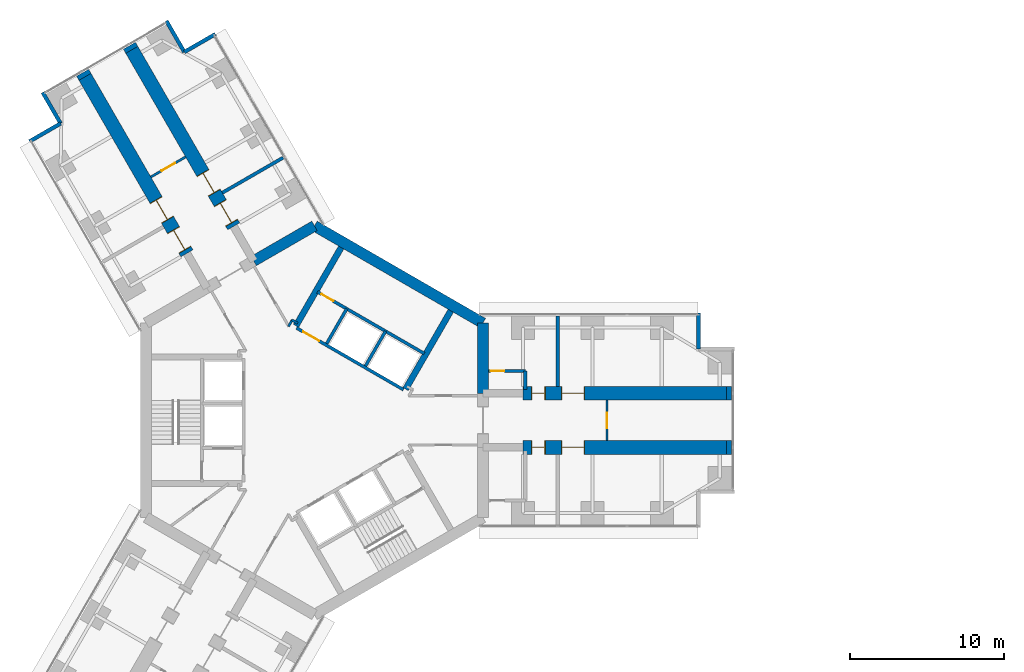
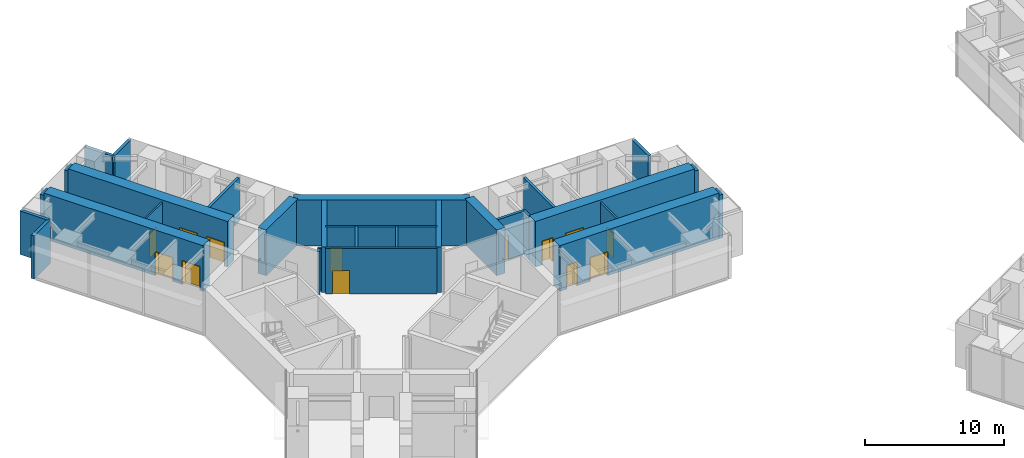
# One storey, part 18 of 23: 30 walls, 13 doors, 13 openings.
"""IFC4 building model written with IfcOpenShell, lengths in metres."""

from ifc_helpers import new_model, si_unit, direction, frame, frame_2d, origin, place, context, subcontext, project, spatial, rectangle, extrude, material, layer, layer_set, type_object, element, fill, save


model = new_model("IFC4")

# Units and contexts
model_context = context("Model", 3, precision=1e-05, world=origin(), true_north=direction((0.0, 1.0)))
body_context = subcontext(model_context, "Body", "Model", "MODEL_VIEW")
ifc_project = project(units=[si_unit("LENGTHUNIT", "METRE"), si_unit("AREAUNIT", "SQUARE_METRE"), si_unit("VOLUMEUNIT", "CUBIC_METRE"), si_unit("PLANEANGLEUNIT", "RADIAN"), si_unit("MASSUNIT", "GRAM", prefix="KILO")], contexts=[model_context])

# Site, building, storey
site_placement = place(None, origin())
site = spatial("IfcSite", under=ifc_project, at=site_placement, CompositionType="ELEMENT")
building_placement = place(site_placement, origin())
building = spatial("IfcBuilding", under=site, at=building_placement, Name="Upepo Twin Towers", CompositionType="ELEMENT")
storey_placement = place(building_placement, frame((0.0, 0.0, 24.5)))
storey = spatial("IfcBuildingStorey", under=building, at=storey_placement, Name="L05", CompositionType="ELEMENT", Elevation=24.5)

# Wall
ifc_material_1 = material(Name="Concrete blockwork, plastered both faces", Category="masonry")
ifc_layer_1 = layer(ifc_material_1, 0.215087890625)
ifc_layer_set_1 = layer_set([ifc_layer_1], Name="Blockwork partition 215")
wall_type_1 = type_object("IfcWallType", Name="Blockwork partition 215", PredefinedType="PARTITIONING", material=ifc_layer_set_1)
wall_1_placement = place(storey_placement, frame((15.75, 2.199951171875, 0.0), z_axis=(0.0, 0.0, 1.0), x_axis=(0.0, 1.0, 0.0)))
element("IfcWall", 1, at=wall_1_placement, inside=storey, type_object=wall_type_1, Name="T1 partition AL at 15.75", PredefinedType="PARTITIONING", context=body_context, shape_type="SweptSolid", body=[
    extrude(rectangle(XDim=4.550048828125, YDim=0.215087890625, at=frame_2d((2.27490234375, 0.0))), origin(), (0.0, 0.0, 1.0), 3.800048828125),
])

# Wall, opening, door
wall_2_placement = place(storey_placement, frame((11.258056640625, 3.199951171875, 0.0), z_axis=(0.0, 0.0, 1.0), x_axis=(1.0, 0.0, 0.0)))
wall_2 = element("IfcWall", 2, at=wall_2_placement, inside=storey, type_object=wall_type_1, Name="T1 WC bay partition AL at 11.26", PredefinedType="PARTITIONING", context=body_context, shape_type="SweptSolid", body=[
    extrude(rectangle(XDim=2.39990234375, YDim=0.215087890625, at=frame_2d((1.199951171875, 0.0))), origin(), (0.0, 0.0, 1.0), 3.800048828125),
])
opening_1_placement = place(wall_2_placement, frame((0.14990234375, 0.0, 0.0)))
opening_1 = element("IfcOpeningElement", 3, at=opening_1_placement, cuts=wall_2, Name="Opening D14", PredefinedType="OPENING", context=body_context, shape_type="SweptSolid", body=[
    extrude(rectangle(XDim=0.89990234375, YDim=2.10009765625, at=frame_2d((0.449951171875, 1.050048828125))), frame((0.0, 0.117431640625, 0.0), z_axis=(0.0, -1.0, 0.0), x_axis=(1.0, 0.0, 0.0)), (0.0, 0.0, 1.0), 0.235107421875),
])
ifc_material_2 = material(Name="Timber doorset", Category="wood")
door_type_1 = type_object("IfcDoorType", Name="Office door 900 FD30", OperationType="SINGLE_SWING_LEFT", PredefinedType="DOOR", material=ifc_material_2)
door_1_placement = place(opening_1_placement, origin())
door_1 = element("IfcDoor", 4, at=door_1_placement, inside=storey, type_object=door_type_1, Name="T1 L05 WC bay inner room door", OperationType="SINGLE_SWING_LEFT", OverallHeight=2.10009765625, OverallWidth=0.89990234375, PredefinedType="DOOR", context=body_context, shape_type="SweptSolid", body=[
    extrude(rectangle(XDim=0.89990234375, YDim=2.10009765625, at=frame_2d((0.449951171875, 1.050048828125))), frame((0.0, 0.02490234375, 0.0), z_axis=(0.0, -1.0, 0.0), x_axis=(1.0, 0.0, 0.0)), (0.0, 0.0, 1.0), 0.050048828125),
])
fill(opening_1, door_1)

# Walls
wall_3_placement = place(storey_placement, frame((13.657958984375, 2.0, 0.0), z_axis=(0.0, 0.0, 1.0), x_axis=(0.0, 1.0, 0.0)))
element("IfcWall", 5, at=wall_3_placement, inside=storey, type_object=wall_type_1, Name="T1 WC bay partition AL end at 13.66", PredefinedType="PARTITIONING", context=body_context, shape_type="SweptSolid", body=[
    extrude(rectangle(XDim=1.199951171875, YDim=0.215087890625, at=frame_2d((0.60009765625, 0.0))), origin(), (0.0, 0.0, 1.0), 3.800048828125),
])
wall_4_placement = place(storey_placement, frame((-5.9697265625, 14.739990234375, 0.0), z_axis=(0.0, 0.0, 1.0), x_axis=(0.866035472144, 0.499982560684, 0.0)))
element("IfcWall", 6, at=wall_4_placement, inside=storey, type_object=wall_type_1, Name="T1 partition BR at 15.75", PredefinedType="PARTITIONING", context=body_context, shape_type="SweptSolid", body=[
    extrude(rectangle(XDim=4.550048828125, YDim=0.215087890625, at=frame_2d((2.27490234375, 0.0))), origin(), (0.0, 0.0, 1.0), 3.800048828125),
])
ifc_material_3 = material(Name="Dense concrete blockwork", Category="masonry")
ifc_layer_2 = layer(ifc_material_3, 0.89990234375)
ifc_layer_set_2 = layer_set([ifc_layer_2], Name="Buttress closer 900, blockwork with fire-stopping to the curtain wall")
wall_type_2 = type_object("IfcWallType", Name="Buttress closer 900, blockwork with fire-stopping to the curtain wall", PredefinedType="PARTITIONING", material=ifc_layer_set_2)
for number, where, z_axis, x_axis, name in (
    (7, (26.699951171875, 1.75, 0.0), (0.0, 0.0, 1.0), (1.0, 0.0, 0.0), "T1 L05 wing A buttress closer L"),
    (8, (26.699951171875, -1.75, 0.0), (0.0, 0.0, 1.0), (1.0, 0.0, 0.0), "T1 L05 wing A buttress closer R"),
    (9, (-14.865478515625, 22.247802734375, 0.0), (0.0, 0.0, 1.0), (-0.499949632511, 0.866054481515, 0.0), "T1 L05 wing B buttress closer L"),
    (10, (-11.83447265625, 23.997802734375, 0.0), (0.0, 0.0, 1.0), (-0.499949632511, 0.866054481515, 0.0), "T1 L05 wing B buttress closer R"),
):
    element("IfcWall", number, at=place(storey_placement, frame(where, z_axis=z_axis, x_axis=x_axis)), inside=storey, type_object=wall_type_2, Name=name, PredefinedType="PARTITIONING", context=body_context, shape_type="SweptSolid", body=[
        extrude(rectangle(XDim=0.31005859375, YDim=0.89990234375, at=frame_2d((0.155029296875, 0.0))), origin(), (0.0, 0.0, 1.0), 3.800048828125),
    ])

# Wall, openings, doors
ifc_material_4 = material(Name="Concrete C60/75", Category="concrete")
ifc_layer_3 = layer(ifc_material_4, 0.89990234375)
ifc_layer_set_3 = layer_set([ifc_layer_3], Name="Concrete C60/75")
wall_type_3 = type_object("IfcWallType", Name="Buttress wall 900 RC", PredefinedType="SHEAR", material=ifc_layer_set_3)
wall_5_placement = place(storey_placement, frame((13.5, 1.75, 0.0), z_axis=(0.0, 0.0, 1.0), x_axis=(1.0, 0.0, 0.0)))
wall_5 = element("IfcWall", 11, at=wall_5_placement, inside=storey, type_object=wall_type_3, Name="T1 wing A buttress wall L part 2", PredefinedType="SHEAR", context=body_context, shape_type="SweptSolid", body=[
    extrude(rectangle(XDim=13.199951171875, YDim=0.89990234375, at=frame_2d((6.60009765625, 0.0))), origin(), (0.0, 0.0, 1.0), 4.0),
])
opening_2_placement = place(wall_5_placement, frame((0.550048828125, 0.0, 0.0)))
opening_2 = element("IfcOpeningElement", 12, at=opening_2_placement, cuts=wall_5, Name="Opening D11", PredefinedType="OPENING", context=body_context, shape_type="SweptSolid", body=[
    extrude(rectangle(XDim=0.89990234375, YDim=2.10009765625, at=frame_2d((0.449951171875, 1.050048828125))), frame((0.0, 0.4599609375, 0.0), z_axis=(0.0, -1.0, 0.0), x_axis=(1.0, 0.0, 0.0)), (0.0, 0.0, 1.0), 0.919921875),
])
opening_3_placement = place(wall_5_placement, frame((2.5, 0.0, 0.0)))
opening_3 = element("IfcOpeningElement", 13, at=opening_3_placement, cuts=wall_5, Name="Opening D13", PredefinedType="OPENING", context=body_context, shape_type="SweptSolid", body=[
    extrude(rectangle(XDim=1.5, YDim=2.10009765625, at=frame_2d((0.75, 1.050048828125))), frame((0.0, 0.4599609375, 0.0), z_axis=(0.0, -1.0, 0.0), x_axis=(1.0, 0.0, 0.0)), (0.0, 0.0, 1.0), 0.919921875),
])
ifc_material_5 = material(Name="Timber doorset", Category="wood")
door_type_2 = type_object("IfcDoorType", Name="Double door 1500 FD30", OperationType="DOUBLE_DOOR_SINGLE_SWING", PredefinedType="DOOR", material=ifc_material_5)
door_2_placement = place(opening_3_placement, origin())
door_2 = element("IfcDoor", 14, at=door_2_placement, inside=storey, type_object=door_type_2, Name="T1 L05 teaching laboratory door", OperationType="DOUBLE_DOOR_SINGLE_SWING", OverallHeight=2.10009765625, OverallWidth=1.5, PredefinedType="DOOR", context=body_context, shape_type="SweptSolid", body=[
    extrude(rectangle(XDim=1.42, YDim=2.06009765625, at=frame_2d((0.75, 1.030029296875))), frame((0.0, 0.02490234375, 0.0), z_axis=(0.0, -1.0, 0.0), x_axis=(1.0, 0.0, 0.0)), (0.0, 0.0, 1.0), 0.050048828125),
    extrude(rectangle(XDim=0.04, YDim=2.10009765625, at=frame_2d((0.02001953125, 1.050048828125))), frame((0.0, 0.44970703125, 0.0), z_axis=(0.0, -1.0, 0.0), x_axis=(1.0, 0.0, 0.0)), (0.0, 0.0, 1.0), 0.8994140625),
    extrude(rectangle(XDim=0.04, YDim=2.10009765625, at=frame_2d((1.47998046875, 1.050048828125))), frame((0.0, 0.44970703125, 0.0), z_axis=(0.0, -1.0, 0.0), x_axis=(1.0, 0.0, 0.0)), (0.0, 0.0, 1.0), 0.8994140625),
    extrude(rectangle(XDim=1.42, YDim=0.04, at=frame_2d((0.75, 2.080078125))), frame((0.0, 0.44970703125, 0.0), z_axis=(0.0, -1.0, 0.0), x_axis=(1.0, 0.0, 0.0)), (0.0, 0.0, 1.0), 0.8994140625),
])
fill(opening_3, door_2)
ifc_material_6 = material(Name="Timber doorset", Category="wood")
door_type_3 = type_object("IfcDoorType", Name="Toilet door 900", OperationType="SINGLE_SWING_LEFT", PredefinedType="DOOR", material=ifc_material_6)
door_3_placement = place(opening_2_placement, origin())
door_3 = element("IfcDoor", 15, at=door_3_placement, inside=storey, type_object=door_type_3, Name="T1 L05 toilets door", OperationType="SINGLE_SWING_LEFT", OverallHeight=2.10009765625, OverallWidth=0.89990234375, PredefinedType="DOOR", context=body_context, shape_type="SweptSolid", body=[
    extrude(rectangle(XDim=0.81990234375, YDim=2.06009765625, at=frame_2d((0.449951171875, 1.030029296875))), frame((0.0, 0.02490234375, 0.0), z_axis=(0.0, -1.0, 0.0), x_axis=(1.0, 0.0, 0.0)), (0.0, 0.0, 1.0), 0.050048828125),
    extrude(rectangle(XDim=0.04, YDim=2.10009765625, at=frame_2d((0.02001953125, 1.050048828125))), frame((0.0, 0.44970703125, 0.0), z_axis=(0.0, -1.0, 0.0), x_axis=(1.0, 0.0, 0.0)), (0.0, 0.0, 1.0), 0.8994140625),
    extrude(rectangle(XDim=0.04, YDim=2.10009765625, at=frame_2d((0.8798828125, 1.050048828125))), frame((0.0, 0.44970703125, 0.0), z_axis=(0.0, -1.0, 0.0), x_axis=(1.0, 0.0, 0.0)), (0.0, 0.0, 1.0), 0.8994140625),
    extrude(rectangle(XDim=0.81990234375, YDim=0.04, at=frame_2d((0.449951171875, 2.080078125))), frame((0.0, 0.44970703125, 0.0), z_axis=(0.0, -1.0, 0.0), x_axis=(1.0, 0.0, 0.0)), (0.0, 0.0, 1.0), 0.8994140625),
])
fill(opening_2, door_3)

wall_6_placement = place(storey_placement, frame((13.5, -1.75, 0.0), z_axis=(0.0, 0.0, 1.0), x_axis=(1.0, 0.0, 0.0)))
wall_6 = element("IfcWall", 16, at=wall_6_placement, inside=storey, type_object=wall_type_3, Name="T1 wing A buttress wall R part 2", PredefinedType="SHEAR", context=body_context, shape_type="SweptSolid", body=[
    extrude(rectangle(XDim=13.199951171875, YDim=0.89990234375, at=frame_2d((6.60009765625, 0.0))), origin(), (0.0, 0.0, 1.0), 4.0),
])
opening_4_placement = place(wall_6_placement, frame((0.550048828125, 0.0, 0.0)))
opening_4 = element("IfcOpeningElement", 17, at=opening_4_placement, cuts=wall_6, Name="Opening D11", PredefinedType="OPENING", context=body_context, shape_type="SweptSolid", body=[
    extrude(rectangle(XDim=0.89990234375, YDim=2.10009765625, at=frame_2d((0.449951171875, 1.050048828125))), frame((0.0, 0.4599609375, 0.0), z_axis=(0.0, -1.0, 0.0), x_axis=(1.0, 0.0, 0.0)), (0.0, 0.0, 1.0), 0.919921875),
])
opening_5_placement = place(wall_6_placement, frame((2.5, 0.0, 0.0)))
opening_5 = element("IfcOpeningElement", 18, at=opening_5_placement, cuts=wall_6, Name="Opening D13", PredefinedType="OPENING", context=body_context, shape_type="SweptSolid", body=[
    extrude(rectangle(XDim=1.5, YDim=2.10009765625, at=frame_2d((0.75, 1.050048828125))), frame((0.0, 0.4599609375, 0.0), z_axis=(0.0, -1.0, 0.0), x_axis=(1.0, 0.0, 0.0)), (0.0, 0.0, 1.0), 0.919921875),
])
door_4_placement = place(opening_5_placement, origin())
door_4 = element("IfcDoor", 19, at=door_4_placement, inside=storey, type_object=door_type_2, Name="T1 L05 teaching laboratory door", OperationType="DOUBLE_DOOR_SINGLE_SWING", OverallHeight=2.10009765625, OverallWidth=1.5, PredefinedType="DOOR", context=body_context, shape_type="SweptSolid", body=[
    extrude(rectangle(XDim=1.42, YDim=2.06009765625, at=frame_2d((0.75, 1.030029296875))), frame((0.0, 0.02490234375, 0.0), z_axis=(0.0, -1.0, 0.0), x_axis=(1.0, 0.0, 0.0)), (0.0, 0.0, 1.0), 0.050048828125),
    extrude(rectangle(XDim=0.04, YDim=2.10009765625, at=frame_2d((0.02001953125, 1.050048828125))), frame((0.0, 0.44970703125, 0.0), z_axis=(0.0, -1.0, 0.0), x_axis=(1.0, 0.0, 0.0)), (0.0, 0.0, 1.0), 0.8994140625),
    extrude(rectangle(XDim=0.04, YDim=2.10009765625, at=frame_2d((1.47998046875, 1.050048828125))), frame((0.0, 0.44970703125, 0.0), z_axis=(0.0, -1.0, 0.0), x_axis=(1.0, 0.0, 0.0)), (0.0, 0.0, 1.0), 0.8994140625),
    extrude(rectangle(XDim=1.42, YDim=0.04, at=frame_2d((0.75, 2.080078125))), frame((0.0, 0.44970703125, 0.0), z_axis=(0.0, -1.0, 0.0), x_axis=(1.0, 0.0, 0.0)), (0.0, 0.0, 1.0), 0.8994140625),
])
fill(opening_5, door_4)
door_5_placement = place(opening_4_placement, origin())
door_5 = element("IfcDoor", 20, at=door_5_placement, inside=storey, type_object=door_type_3, Name="T1 L05 accessible wc door", OperationType="SINGLE_SWING_LEFT", OverallHeight=2.10009765625, OverallWidth=0.89990234375, PredefinedType="DOOR", context=body_context, shape_type="SweptSolid", body=[
    extrude(rectangle(XDim=0.81990234375, YDim=2.06009765625, at=frame_2d((0.449951171875, 1.030029296875))), frame((0.0, 0.02490234375, 0.0), z_axis=(0.0, -1.0, 0.0), x_axis=(1.0, 0.0, 0.0)), (0.0, 0.0, 1.0), 0.050048828125),
    extrude(rectangle(XDim=0.04, YDim=2.10009765625, at=frame_2d((0.02001953125, 1.050048828125))), frame((0.0, 0.44970703125, 0.0), z_axis=(0.0, -1.0, 0.0), x_axis=(1.0, 0.0, 0.0)), (0.0, 0.0, 1.0), 0.8994140625),
    extrude(rectangle(XDim=0.04, YDim=2.10009765625, at=frame_2d((0.8798828125, 1.050048828125))), frame((0.0, 0.44970703125, 0.0), z_axis=(0.0, -1.0, 0.0), x_axis=(1.0, 0.0, 0.0)), (0.0, 0.0, 1.0), 0.8994140625),
    extrude(rectangle(XDim=0.81990234375, YDim=0.04, at=frame_2d((0.449951171875, 2.080078125))), frame((0.0, 0.44970703125, 0.0), z_axis=(0.0, -1.0, 0.0), x_axis=(1.0, 0.0, 0.0)), (0.0, 0.0, 1.0), 0.8994140625),
])
fill(opening_4, door_5)

wall_7_placement = place(storey_placement, frame((-8.265625, 10.81640625, 0.0), z_axis=(0.0, 0.0, 1.0), x_axis=(-0.499996231654, 0.866027579429, 0.0)))
wall_7 = element("IfcWall", 21, at=wall_7_placement, inside=storey, type_object=wall_type_3, Name="T1 wing B buttress wall L part 2", PredefinedType="SHEAR", context=body_context, shape_type="SweptSolid", body=[
    extrude(rectangle(XDim=13.19970703125, YDim=0.89990234375, at=frame_2d((6.599853515625, 0.0))), origin(), (0.0, 0.0, 1.0), 4.0),
])
opening_6_placement = place(wall_7_placement, frame((0.25, 0.0, 0.0)))
opening_6 = element("IfcOpeningElement", 22, at=opening_6_placement, cuts=wall_7, Name="Opening D13", PredefinedType="OPENING", context=body_context, shape_type="SweptSolid", body=[
    extrude(rectangle(XDim=1.5, YDim=2.10009765625, at=frame_2d((0.75, 1.050048828125))), frame((0.0, 0.4599609375, 0.0), z_axis=(0.0, -1.0, 0.0), x_axis=(1.0, 0.0, 0.0)), (0.0, 0.0, 1.0), 0.919921875),
])
opening_7_placement = place(wall_7_placement, frame((2.5, 0.0, 0.0)))
opening_7 = element("IfcOpeningElement", 23, at=opening_7_placement, cuts=wall_7, Name="Opening D13", PredefinedType="OPENING", context=body_context, shape_type="SweptSolid", body=[
    extrude(rectangle(XDim=1.5, YDim=2.10009765625, at=frame_2d((0.75, 1.050048828125))), frame((0.0, 0.4599609375, 0.0), z_axis=(0.0, -1.0, 0.0), x_axis=(1.0, 0.0, 0.0)), (0.0, 0.0, 1.0), 0.919921875),
])
door_6_placement = place(opening_6_placement, origin())
door_6 = element("IfcDoor", 24, at=door_6_placement, inside=storey, type_object=door_type_2, Name="T1 L05 instrument room door", OperationType="DOUBLE_DOOR_SINGLE_SWING", OverallHeight=2.10009765625, OverallWidth=1.5, PredefinedType="DOOR", context=body_context, shape_type="SweptSolid", body=[
    extrude(rectangle(XDim=1.42, YDim=2.06009765625, at=frame_2d((0.75, 1.030029296875))), frame((0.0, 0.02490234375, 0.0), z_axis=(0.0, -1.0, 0.0), x_axis=(1.0, 0.0, 0.0)), (0.0, 0.0, 1.0), 0.050048828125),
    extrude(rectangle(XDim=0.04, YDim=2.10009765625, at=frame_2d((0.02001953125, 1.050048828125))), frame((0.0, 0.44970703125, 0.0), z_axis=(0.0, -1.0, 0.0), x_axis=(1.0, 0.0, 0.0)), (0.0, 0.0, 1.0), 0.8994140625),
    extrude(rectangle(XDim=0.04, YDim=2.10009765625, at=frame_2d((1.47998046875, 1.050048828125))), frame((0.0, 0.44970703125, 0.0), z_axis=(0.0, -1.0, 0.0), x_axis=(1.0, 0.0, 0.0)), (0.0, 0.0, 1.0), 0.8994140625),
    extrude(rectangle(XDim=1.42, YDim=0.04, at=frame_2d((0.75, 2.080078125))), frame((0.0, 0.44970703125, 0.0), z_axis=(0.0, -1.0, 0.0), x_axis=(1.0, 0.0, 0.0)), (0.0, 0.0, 1.0), 0.8994140625),
])
fill(opening_6, door_6)
door_7_placement = place(opening_7_placement, origin())
door_7 = element("IfcDoor", 25, at=door_7_placement, inside=storey, type_object=door_type_2, Name="T1 L05 teaching laboratory door", OperationType="DOUBLE_DOOR_SINGLE_SWING", OverallHeight=2.10009765625, OverallWidth=1.5, PredefinedType="DOOR", context=body_context, shape_type="SweptSolid", body=[
    extrude(rectangle(XDim=1.42, YDim=2.06009765625, at=frame_2d((0.75, 1.030029296875))), frame((0.0, 0.02490234375, 0.0), z_axis=(0.0, -1.0, 0.0), x_axis=(1.0, 0.0, 0.0)), (0.0, 0.0, 1.0), 0.050048828125),
    extrude(rectangle(XDim=0.04, YDim=2.10009765625, at=frame_2d((0.02001953125, 1.050048828125))), frame((0.0, 0.44970703125, 0.0), z_axis=(0.0, -1.0, 0.0), x_axis=(1.0, 0.0, 0.0)), (0.0, 0.0, 1.0), 0.8994140625),
    extrude(rectangle(XDim=0.04, YDim=2.10009765625, at=frame_2d((1.47998046875, 1.050048828125))), frame((0.0, 0.44970703125, 0.0), z_axis=(0.0, -1.0, 0.0), x_axis=(1.0, 0.0, 0.0)), (0.0, 0.0, 1.0), 0.8994140625),
    extrude(rectangle(XDim=1.42, YDim=0.04, at=frame_2d((0.75, 2.080078125))), frame((0.0, 0.44970703125, 0.0), z_axis=(0.0, -1.0, 0.0), x_axis=(1.0, 0.0, 0.0)), (0.0, 0.0, 1.0), 0.8994140625),
])
fill(opening_7, door_7)

wall_8_placement = place(storey_placement, frame((-5.234375, 12.56640625, 0.0), z_axis=(0.0, 0.0, 1.0), x_axis=(-0.500010103361, 0.866019570528, 0.0)))
wall_8 = element("IfcWall", 26, at=wall_8_placement, inside=storey, type_object=wall_type_3, Name="T1 wing B buttress wall R part 2", PredefinedType="SHEAR", context=body_context, shape_type="SweptSolid", body=[
    extrude(rectangle(XDim=13.199951171875, YDim=0.89990234375, at=frame_2d((6.60009765625, 0.0))), origin(), (0.0, 0.0, 1.0), 4.0),
])
opening_8_placement = place(wall_8_placement, frame((0.25, 0.0, 0.0)))
opening_8 = element("IfcOpeningElement", 27, at=opening_8_placement, cuts=wall_8, Name="Opening D13", PredefinedType="OPENING", context=body_context, shape_type="SweptSolid", body=[
    extrude(rectangle(XDim=1.5, YDim=2.10009765625, at=frame_2d((0.75, 1.050048828125))), frame((0.0, 0.4599609375, 0.0), z_axis=(0.0, -1.0, 0.0), x_axis=(1.0, 0.0, 0.0)), (0.0, 0.0, 1.0), 0.919921875),
])
opening_9_placement = place(wall_8_placement, frame((2.5, 0.0, 0.0)))
opening_9 = element("IfcOpeningElement", 28, at=opening_9_placement, cuts=wall_8, Name="Opening D13", PredefinedType="OPENING", context=body_context, shape_type="SweptSolid", body=[
    extrude(rectangle(XDim=1.5, YDim=2.10009765625, at=frame_2d((0.75, 1.050048828125))), frame((0.0, 0.4599609375, 0.0), z_axis=(0.0, -1.0, 0.0), x_axis=(1.0, 0.0, 0.0)), (0.0, 0.0, 1.0), 0.919921875),
])
door_8_placement = place(opening_8_placement, origin())
door_8 = element("IfcDoor", 29, at=door_8_placement, inside=storey, type_object=door_type_2, Name="T1 L05 write-up room door", OperationType="DOUBLE_DOOR_SINGLE_SWING", OverallHeight=2.10009765625, OverallWidth=1.5, PredefinedType="DOOR", context=body_context, shape_type="SweptSolid", body=[
    extrude(rectangle(XDim=1.42, YDim=2.06009765625, at=frame_2d((0.75, 1.030029296875))), frame((0.0, 0.02490234375, 0.0), z_axis=(0.0, -1.0, 0.0), x_axis=(1.0, 0.0, 0.0)), (0.0, 0.0, 1.0), 0.050048828125),
    extrude(rectangle(XDim=0.04, YDim=2.10009765625, at=frame_2d((0.02001953125, 1.050048828125))), frame((0.0, 0.44970703125, 0.0), z_axis=(0.0, -1.0, 0.0), x_axis=(1.0, 0.0, 0.0)), (0.0, 0.0, 1.0), 0.8994140625),
    extrude(rectangle(XDim=0.04, YDim=2.10009765625, at=frame_2d((1.47998046875, 1.050048828125))), frame((0.0, 0.44970703125, 0.0), z_axis=(0.0, -1.0, 0.0), x_axis=(1.0, 0.0, 0.0)), (0.0, 0.0, 1.0), 0.8994140625),
    extrude(rectangle(XDim=1.42, YDim=0.04, at=frame_2d((0.75, 2.080078125))), frame((0.0, 0.44970703125, 0.0), z_axis=(0.0, -1.0, 0.0), x_axis=(1.0, 0.0, 0.0)), (0.0, 0.0, 1.0), 0.8994140625),
])
fill(opening_8, door_8)
door_9_placement = place(opening_9_placement, origin())
door_9 = element("IfcDoor", 30, at=door_9_placement, inside=storey, type_object=door_type_2, Name="T1 L05 teaching laboratory door", OperationType="DOUBLE_DOOR_SINGLE_SWING", OverallHeight=2.10009765625, OverallWidth=1.5, PredefinedType="DOOR", context=body_context, shape_type="SweptSolid", body=[
    extrude(rectangle(XDim=1.42, YDim=2.06009765625, at=frame_2d((0.75, 1.030029296875))), frame((0.0, 0.02490234375, 0.0), z_axis=(0.0, -1.0, 0.0), x_axis=(1.0, 0.0, 0.0)), (0.0, 0.0, 1.0), 0.050048828125),
    extrude(rectangle(XDim=0.04, YDim=2.10009765625, at=frame_2d((0.02001953125, 1.050048828125))), frame((0.0, 0.44970703125, 0.0), z_axis=(0.0, -1.0, 0.0), x_axis=(1.0, 0.0, 0.0)), (0.0, 0.0, 1.0), 0.8994140625),
    extrude(rectangle(XDim=0.04, YDim=2.10009765625, at=frame_2d((1.47998046875, 1.050048828125))), frame((0.0, 0.44970703125, 0.0), z_axis=(0.0, -1.0, 0.0), x_axis=(1.0, 0.0, 0.0)), (0.0, 0.0, 1.0), 0.8994140625),
    extrude(rectangle(XDim=1.42, YDim=0.04, at=frame_2d((0.75, 2.080078125))), frame((0.0, 0.44970703125, 0.0), z_axis=(0.0, -1.0, 0.0), x_axis=(1.0, 0.0, 0.0)), (0.0, 0.0, 1.0), 0.8994140625),
])
fill(opening_9, door_9)

# Walls
ifc_material_7 = material(Name="Concrete C60/75", Category="concrete")
ifc_layer_4 = layer(ifc_material_7, 0.699951171875)
ifc_layer_set_4 = layer_set([ifc_layer_4], Name="Concrete C60/75")
wall_type_4 = type_object("IfcWallType", Name="Core wall 700 RC", PredefinedType="SHEAR", material=ifc_layer_set_4)
wall_9_placement = place(storey_placement, frame((10.908447265625, 1.75, 0.0), z_axis=(0.0, 0.0, 1.0), x_axis=(0.0, 1.0, 0.0)))
element("IfcWall", 31, at=wall_9_placement, inside=storey, type_object=wall_type_4, Name="T1 core wall 000 L", PredefinedType="SHEAR", context=body_context, shape_type="SweptSolid", body=[
    extrude(rectangle(XDim=4.5478515625, YDim=0.699951171875, at=frame_2d((2.27392578125, 0.0))), origin(), (0.0, 0.0, 1.0), 4.0),
])
wall_10_placement = place(storey_placement, frame((10.908447265625, 6.2978515625, 0.0), z_axis=(0.0, 0.0, 1.0), x_axis=(-0.866021940709, 0.500005998175, 0.0)))
element("IfcWall", 32, at=wall_10_placement, inside=storey, type_object=wall_type_4, Name="T1 core wall 060", PredefinedType="SHEAR", context=body_context, shape_type="SweptSolid", body=[
    extrude(rectangle(XDim=12.595947265625, YDim=0.699951171875, at=frame_2d((6.2978515625, 0.0))), origin(), (0.0, 0.0, 1.0), 4.0),
])
wall_11_placement = place(storey_placement, frame((0.0, 12.595947265625, 0.0), z_axis=(0.0, 0.0, 1.0), x_axis=(-0.866011268655, -0.500024481964, 0.0)))
element("IfcWall", 33, at=wall_11_placement, inside=storey, type_object=wall_type_4, Name="T1 core wall 120 R", PredefinedType="SHEAR", context=body_context, shape_type="SweptSolid", body=[
    extrude(rectangle(XDim=4.548095703125, YDim=0.699951171875, at=frame_2d((2.27392578125, 0.0))), origin(), (0.0, 0.0, 1.0), 4.0),
])
ifc_material_8 = material(Name="Blockwork with anodised aluminium cladding", Category="masonry")
ifc_layer_5 = layer(ifc_material_8, 0.25)
ifc_layer_set_5 = layer_set([ifc_layer_5], Name="Notch cladding wall 250, pale metal")
wall_type_5 = type_object("IfcWallType", Name="Notch cladding wall 250, pale metal", PredefinedType="STANDARD", material=ifc_layer_set_5)
for number, where, z_axis, x_axis, name in (
    (34, (24.875, 6.949951171875, 0.0), (0.0, 0.0, 1.0), (0.0, -1.0, 0.0), "T1 L05 wing A notch wall L1"),
    (35, (-18.456298828125, 18.0673828125, 0.0), (0.0, 0.0, 1.0), (0.865998469481, 0.500046648681, 0.0), "T1 L05 wing B notch wall L1"),
    (36, (-16.44287109375, 19.22998046875, 0.0), (0.0, 0.0, 1.0), (-0.500046648681, 0.865998469481, 0.0), "T1 L05 wing B notch wall L2"),
    (37, (-6.418701171875, 25.017333984375, 0.0), (0.0, 0.0, 1.0), (-0.866043940782, -0.499967891604, 0.0), "T1 L05 wing B notch wall R1"),
    (38, (-8.43212890625, 23.85498046875, 0.0), (0.0, 0.0, 1.0), (-0.500046648681, 0.865998469481, 0.0), "T1 L05 wing B notch wall R2"),
):
    element("IfcWall", number, at=place(storey_placement, frame(where, z_axis=z_axis, x_axis=x_axis)), inside=storey, type_object=wall_type_5, Name=name, PredefinedType="STANDARD", context=body_context, shape_type="SweptSolid", body=[
        extrude(rectangle(XDim=2.324951171875, YDim=0.25, at=frame_2d((1.16259765625, 0.0))), origin(), (0.0, 0.0, 1.0), 3.800048828125),
    ])

# Wall, opening, door
ifc_material_9 = material(Name="Concrete C40/50", Category="concrete")
ifc_layer_6 = layer(ifc_material_9, 0.199951171875)
ifc_layer_set_6 = layer_set([ifc_layer_6], Name="Concrete C40/50")
wall_type_6 = type_object("IfcWallType", Name="Shaft wall 200 RC", PredefinedType="SHEAR", material=ifc_layer_set_6)
wall_12_placement = place(storey_placement, frame((5.76416015625, 1.983642578125, 0.0), z_axis=(0.0, 0.0, 1.0), x_axis=(-0.866026010844, 0.49999894854, 0.0)))
wall_12 = element("IfcWall", 39, at=wall_12_placement, inside=storey, type_object=wall_type_6, Name="T1 core W60 front wall", PredefinedType="SHEAR", context=body_context, shape_type="SweptSolid", body=[
    extrude(rectangle(XDim=8.0, YDim=0.199951171875, at=frame_2d((4.0, 0.0))), origin(), (0.0, 0.0, 1.0), 4.0),
])
opening_10_placement = place(wall_12_placement, frame((6.300048828125, 0.0, 0.0)))
opening_10 = element("IfcOpeningElement", 40, at=opening_10_placement, cuts=wall_12, Name="Opening D4", PredefinedType="OPENING", context=body_context, shape_type="SweptSolid", body=[
    extrude(rectangle(XDim=1.199951171875, YDim=2.10009765625, at=frame_2d((0.60009765625, 1.050048828125))), frame((0.0, 0.10986328125, 0.0), z_axis=(0.0, -1.0, 0.0), x_axis=(1.0, 0.0, 0.0)), (0.0, 0.0, 1.0), 0.219970703125),
])
ifc_material_10 = material(Name="Timber doorset", Category="wood")
door_type_4 = type_object("IfcDoorType", Name="Lobby door 1200 FD60", OperationType="SINGLE_SWING_LEFT", PredefinedType="DOOR", material=ifc_material_10)
door_10_placement = place(opening_10_placement, origin())
door_10 = element("IfcDoor", 41, at=door_10_placement, inside=storey, type_object=door_type_4, Name="T1 L05 W60 lobby door", OperationType="SINGLE_SWING_RIGHT", OverallHeight=2.10009765625, OverallWidth=1.199951171875, PredefinedType="DOOR", context=body_context, shape_type="SweptSolid", body=[
    extrude(rectangle(XDim=1.199951171875, YDim=2.10009765625, at=frame_2d((0.60009765625, 1.050048828125))), frame((0.0, 0.02490234375, 0.0), z_axis=(0.0, -1.0, 0.0), x_axis=(1.0, 0.0, 0.0)), (0.0, 0.0, 1.0), 0.050048828125),
])
fill(opening_10, door_10)

# Walls
for number, where, z_axis, x_axis, name in (
    (42, (3.302734375, 3.520263671875, 0.0), (0.0, 0.0, 1.0), (0.499936506574, 0.866062058628, 0.0), "T1 core W60 shaft divider"),
    (43, (0.791259765625, 4.97021484375, 0.0), (0.0, 0.0, 1.0), (0.499936506574, 0.866062058628, 0.0), "T1 core W60 lobby wall"),
):
    element("IfcWall", number, at=place(storey_placement, frame(where, z_axis=z_axis, x_axis=x_axis)), inside=storey, type_object=wall_type_6, Name=name, PredefinedType="SHEAR", context=body_context, shape_type="SweptSolid", body=[
        extrude(rectangle(XDim=2.599853515625, YDim=0.199951171875, at=frame_2d((1.2998046875, 0.0))), origin(), (0.0, 0.0, 1.0), 4.0),
    ])

# Wall, opening, door
wall_13_placement = place(storey_placement, frame((7.114013671875, 4.322021484375, 0.0), z_axis=(0.0, 0.0, 1.0), x_axis=(-0.866026010844, 0.49999894854, 0.0)))
wall_13 = element("IfcWall", 44, at=wall_13_placement, inside=storey, type_object=wall_type_6, Name="T1 core W60 stair wall", PredefinedType="SHEAR", context=body_context, shape_type="SweptSolid", body=[
    extrude(rectangle(XDim=8.0, YDim=0.199951171875, at=frame_2d((4.0, 0.0))), origin(), (0.0, 0.0, 1.0), 4.0),
])
opening_11_placement = place(wall_13_placement, frame((6.800048828125, 0.0, 0.0)))
opening_11 = element("IfcOpeningElement", 45, at=opening_11_placement, cuts=wall_13, Name="Opening D9", PredefinedType="OPENING", context=body_context, shape_type="SweptSolid", body=[
    extrude(rectangle(XDim=0.89990234375, YDim=2.10009765625, at=frame_2d((0.449951171875, 1.050048828125))), frame((0.0, 0.10986328125, 0.0), z_axis=(0.0, -1.0, 0.0), x_axis=(1.0, 0.0, 0.0)), (0.0, 0.0, 1.0), 0.219970703125),
])
ifc_material_11 = material(Name="Timber doorset", Category="wood")
door_type_5 = type_object("IfcDoorType", Name="Riser door 900 FD60", OperationType="SINGLE_SWING_LEFT", PredefinedType="DOOR", material=ifc_material_11)
door_11_placement = place(opening_11_placement, origin())
door_11 = element("IfcDoor", 46, at=door_11_placement, inside=storey, type_object=door_type_5, Name="T1 L05 riser door", OperationType="SINGLE_SWING_RIGHT", OverallHeight=2.10009765625, OverallWidth=0.89990234375, PredefinedType="DOOR", context=body_context, shape_type="SweptSolid", body=[
    extrude(rectangle(XDim=0.89990234375, YDim=2.10009765625, at=frame_2d((0.449951171875, 1.050048828125))), frame((0.0, 0.02490234375, 0.0), z_axis=(0.0, -1.0, 0.0), x_axis=(1.0, 0.0, 0.0)), (0.0, 0.0, 1.0), 0.050048828125),
])
fill(opening_11, door_11)

# Walls
ifc_material_12 = material(Name="Concrete C40/50", Category="concrete")
ifc_layer_7 = layer(ifc_material_12, 0.39990234375)
ifc_layer_set_7 = layer_set([ifc_layer_7], Name="Concrete C40/50")
wall_type_7 = type_object("IfcWallType", Name="Shaft wall 400 RC", PredefinedType="SHEAR", material=ifc_layer_set_7)
for number, where, z_axis, x_axis, name in (
    (47, (-1.20068359375, 6.120361328125, 0.0), (0.0, 0.0, 1.0), (0.500002627198, 0.866023886965, 0.0), "T1 core W60 side wall N"),
    (48, (5.900634765625, 2.020263671875, 0.0), (0.0, 0.0, 1.0), (0.500002627198, 0.866023886965, 0.0), "T1 core W60 side wall S"),
):
    element("IfcWall", number, at=place(storey_placement, frame(where, z_axis=z_axis, x_axis=x_axis)), inside=storey, type_object=wall_type_7, Name=name, PredefinedType="SHEAR", context=body_context, shape_type="SweptSolid", body=[
        extrude(rectangle(XDim=5.8583984375, YDim=0.39990234375, at=frame_2d((2.92919921875, 0.0))), origin(), (0.0, 0.0, 1.0), 4.0),
    ])
ifc_material_13 = material(Name="Gypsum board on steel studs", Category="steel")
ifc_layer_8 = layer(ifc_material_13, 0.14990234375)
ifc_layer_set_8 = layer_set([ifc_layer_8], Name="Teaching partition 150 acoustic")
wall_type_8 = type_object("IfcWallType", Name="Teaching partition 150 acoustic", PredefinedType="PARTITIONING", material=ifc_layer_set_8)
wall_14_placement = place(storey_placement, frame((-1.684326171875, 6.082763671875, 0.0), z_axis=(0.0, 0.0, 1.0), x_axis=(0.50033519877, 0.865831790172, 0.0)))
element("IfcWall", 49, at=wall_14_placement, inside=storey, type_object=wall_type_8, Name="T1 core room partition 12", PredefinedType="PARTITIONING", context=body_context, shape_type="SweptSolid", body=[
    extrude(rectangle(XDim=0.494384765625, YDim=0.14990234375, at=frame_2d((0.2470703125, 0.0))), origin(), (0.0, 0.0, 1.0), 3.800048828125),
])
wall_15_placement = place(storey_placement, frame((-1.46435546875, 6.50341796875, 0.0), z_axis=(0.0, 0.0, 1.0), x_axis=(0.866138304741, -0.499804398801, 0.0)))
element("IfcWall", 50, at=wall_15_placement, inside=storey, type_object=wall_type_8, Name="T1 core room partition 13", PredefinedType="PARTITIONING", context=body_context, shape_type="SweptSolid", body=[
    extrude(rectangle(XDim=0.429931640625, YDim=0.14990234375, at=frame_2d((0.21484375, 0.0))), origin(), (0.0, 0.0, 1.0), 3.800048828125),
])

# Wall, opening, door
wall_16_placement = place(storey_placement, frame((18.949951171875, -1.300048828125, 0.0), z_axis=(0.0, 0.0, 1.0), x_axis=(0.0, 1.0, 0.0)))
wall_16 = element("IfcWall", 51, at=wall_16_placement, inside=storey, type_object=wall_type_8, Name="T1 corridor end partition A at 18.95", PredefinedType="PARTITIONING", context=body_context, shape_type="SweptSolid", body=[
    extrude(rectangle(XDim=2.60009765625, YDim=0.14990234375, at=frame_2d((1.300048828125, 0.0))), origin(), (0.0, 0.0, 1.0), 3.800048828125),
])
opening_12_placement = place(wall_16_placement, frame((0.800048828125, 0.0, 0.0)))
opening_12 = element("IfcOpeningElement", 52, at=opening_12_placement, cuts=wall_16, Name="Opening D1", PredefinedType="OPENING", context=body_context, shape_type="SweptSolid", body=[
    extrude(rectangle(XDim=1.0, YDim=2.10009765625, at=frame_2d((0.5, 1.050048828125))), frame((0.0, 0.0849609375, 0.0), z_axis=(0.0, -1.0, 0.0), x_axis=(1.0, 0.0, 0.0)), (0.0, 0.0, 1.0), 0.169921875),
])
ifc_material_14 = material(Name="Timber doorset", Category="wood")
door_type_6 = type_object("IfcDoorType", Name="Room door 1000 FD30", OperationType="SINGLE_SWING_LEFT", PredefinedType="DOOR", material=ifc_material_14)
door_12_placement = place(opening_12_placement, origin())
door_12 = element("IfcDoor", 53, at=door_12_placement, inside=storey, type_object=door_type_6, Name="T1 L05 breakout study room door", OperationType="SINGLE_SWING_LEFT", OverallHeight=2.10009765625, OverallWidth=1.0, PredefinedType="DOOR", context=body_context, shape_type="SweptSolid", body=[
    extrude(rectangle(XDim=1.0, YDim=2.10009765625, at=frame_2d((0.5, 1.050048828125))), frame((0.0, 0.02490234375, 0.0), z_axis=(0.0, -1.0, 0.0), x_axis=(1.0, 0.0, 0.0)), (0.0, 0.0, 1.0), 0.050048828125),
])
fill(opening_12, door_12)

wall_17_placement = place(storey_placement, frame((-8.34912109375, 17.061279296875, 0.0), z_axis=(0.0, 0.0, 1.0), x_axis=(-0.866021400173, -0.500006934395, 0.0)))
wall_17 = element("IfcWall", 54, at=wall_17_placement, inside=storey, type_object=wall_type_8, Name="T1 corridor end partition B at 18.95", PredefinedType="PARTITIONING", context=body_context, shape_type="SweptSolid", body=[
    extrude(rectangle(XDim=2.60009765625, YDim=0.14990234375, at=frame_2d((1.300048828125, 0.0))), origin(), (0.0, 0.0, 1.0), 3.800048828125),
])
opening_13_placement = place(wall_17_placement, frame((0.800048828125, 0.0, 0.0)))
opening_13 = element("IfcOpeningElement", 55, at=opening_13_placement, cuts=wall_17, Name="Opening D1", PredefinedType="OPENING", context=body_context, shape_type="SweptSolid", body=[
    extrude(rectangle(XDim=1.0, YDim=2.10009765625, at=frame_2d((0.5, 1.050048828125))), frame((0.0, 0.0849609375, 0.0), z_axis=(0.0, -1.0, 0.0), x_axis=(1.0, 0.0, 0.0)), (0.0, 0.0, 1.0), 0.169921875),
])
door_13_placement = place(opening_13_placement, origin())
door_13 = element("IfcDoor", 56, at=door_13_placement, inside=storey, type_object=door_type_6, Name="T1 L05 breakout study room door", OperationType="SINGLE_SWING_LEFT", OverallHeight=2.10009765625, OverallWidth=1.0, PredefinedType="DOOR", context=body_context, shape_type="SweptSolid", body=[
    extrude(rectangle(XDim=1.0, YDim=2.10009765625, at=frame_2d((0.5, 1.050048828125))), frame((0.0, 0.02490234375, 0.0), z_axis=(0.0, -1.0, 0.0), x_axis=(1.0, 0.0, 0.0)), (0.0, 0.0, 1.0), 0.050048828125),
])
fill(opening_13, door_13)

save(model, "model.ifc")
